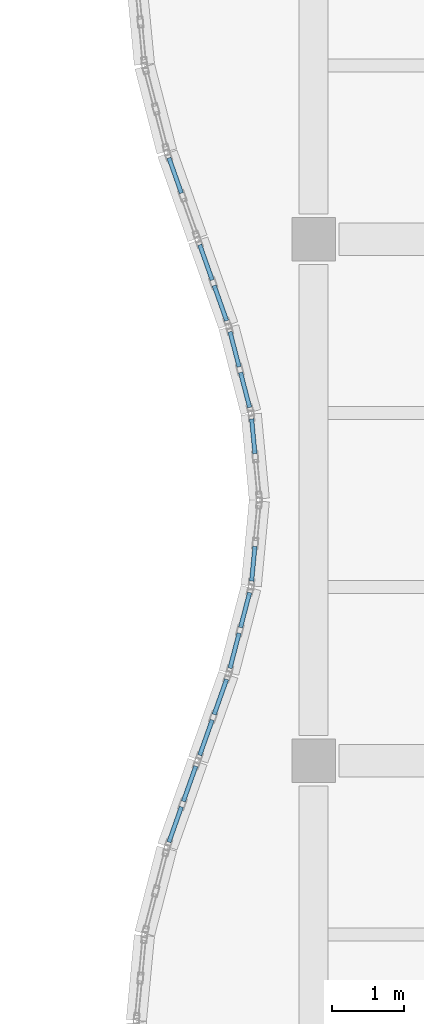
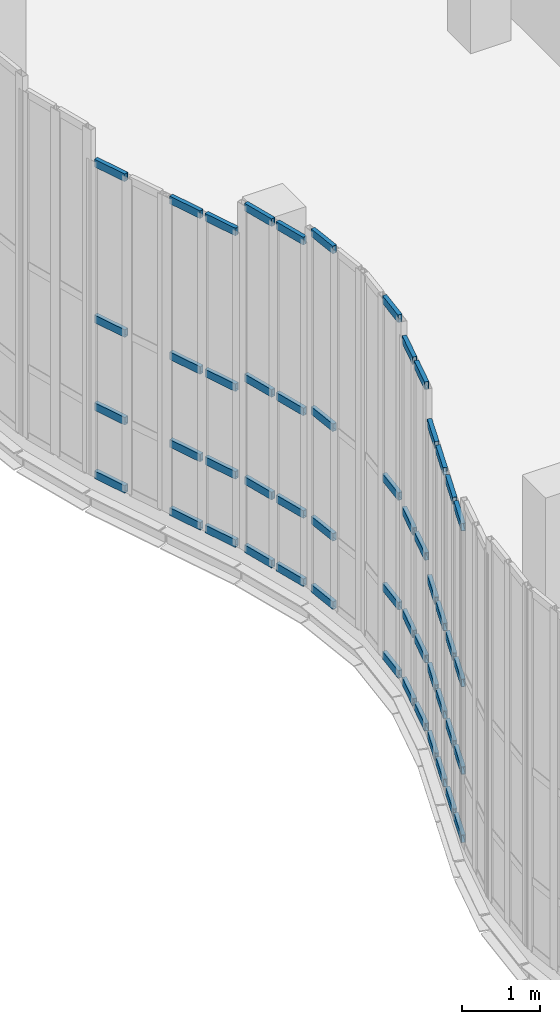
# One storey, part 53 of 105: 52 members, 8 elements without a shape of their own.
"""IFC4 building model written with IfcOpenShell, lengths in metres."""

import ifcopenshell
import ifcopenshell.guid

model = None  # the IFC model being written
_history = None  # IfcOwnerHistory: only IFC2X3 demands one
_inside = {}  # id of a spatial element -> (the spatial element, [elements in it])
_under = {}  # id of a project, library or spatial element -> (it, [spatial elements below it])
_declared = {}  # id of a project -> (the project, [libraries it declares])
_typed = {}  # id of a type object -> (the type object, [elements of that type])
_made_of = {}  # id of a material, layer set ... -> (it, [elements and type objects made of it])


def new_model(schema):
    """Start an empty IFC model of exactly this schema.

    Asked for "IFC4X3", IfcOpenShell would pick the latest addendum, in which some entities
    have other attributes; the version numbers below select the first issue.
    IFC2X3 requires an IfcOwnerHistory on every rooted entity: one is made here for all.
    """
    global model, _history
    if schema == "IFC4X3":
        model = ifcopenshell.file(schema_version=(4, 3, 0, 0))
    else:
        model = ifcopenshell.file(schema=schema)
    _inside.clear()
    _under.clear()
    _declared.clear()
    _typed.clear()
    _made_of.clear()
    _history = None
    if model.schema == "IFC2X3":
        org = make("IfcOrganization", Name="unknown")
        user = make(
            "IfcPersonAndOrganization",
            ThePerson=make("IfcPerson", FamilyName="unknown"),
            TheOrganization=org,
        )
        app = make(
            "IfcApplication",
            ApplicationDeveloper=org,
            Version="unknown",
            ApplicationFullName="unknown",
            ApplicationIdentifier="unknown",
        )
        _history = make(
            "IfcOwnerHistory",
            OwningUser=user,
            OwningApplication=app,
            ChangeAction="ADDED",
            CreationDate=0,
        )
    return model


def make(cls, **values):
    """One entity of the class cls with the attributes given. An attribute that is None is left unset."""
    return model.create_entity(
        cls, **{name: value for name, value in values.items() if value is not None}
    )


def rooted(cls, **values):
    """An entity with a GlobalId (a new one), such as an element, a storey or a relation."""
    return make(cls, GlobalId=ifcopenshell.guid.new(), OwnerHistory=_history, **values)


def si_unit(unit_type, name, prefix=None):
    """IfcSIUnit, for example si_unit("LENGTHUNIT", "METRE", prefix="MILLI")."""
    return make("IfcSIUnit", UnitType=unit_type, Prefix=prefix, Name=name)


def assignment(units):
    """IfcUnitAssignment: the units of a project."""
    return None if units is None else make("IfcUnitAssignment", Units=units)


def point(xyz):
    """IfcCartesianPoint."""
    return None if xyz is None else make("IfcCartesianPoint", Coordinates=xyz)


def direction(xyz):
    """IfcDirection."""
    return None if xyz is None else make("IfcDirection", DirectionRatios=xyz)


def frame(location, z_axis=None, x_axis=None):
    """IfcAxis2Placement3D, a coordinate frame: its origin and axes. An axis left out is left unset."""
    return make(
        "IfcAxis2Placement3D",
        Location=point(location),
        Axis=direction(z_axis),
        RefDirection=direction(x_axis),
    )


def frame_2d(location, x_axis=None):
    """IfcAxis2Placement2D, a coordinate frame in the plane: its origin and x axis."""
    return make(
        "IfcAxis2Placement2D", Location=point(location), RefDirection=direction(x_axis)
    )


def origin():
    """The frame at (0, 0, 0) with its axes left unset."""
    return frame((0.0, 0.0, 0.0))


def origin_2d():
    """The frame at (0, 0) in the plane with its x axis left unset."""
    return frame_2d((0.0, 0.0))


def place(relative_to, where):
    """IfcLocalPlacement: puts the frame where relative to a parent placement (None: the world)."""
    return make(
        "IfcLocalPlacement", PlacementRelTo=relative_to, RelativePlacement=where
    )


def context(
    kind, dimensions, precision=None, world=None, true_north=None, identifier=None
):
    """IfcGeometricRepresentationContext, for example the 3D "Model" context."""
    return make(
        "IfcGeometricRepresentationContext",
        ContextIdentifier=identifier,
        ContextType=kind,
        CoordinateSpaceDimension=dimensions,
        Precision=precision,
        WorldCoordinateSystem=world,
        TrueNorth=true_north,
    )


def subcontext(parent, identifier, kind, view, scale=None):
    """IfcGeometricRepresentationSubContext, for example "Body" below "Model"."""
    return make(
        "IfcGeometricRepresentationSubContext",
        ContextIdentifier=identifier,
        ContextType=kind,
        ParentContext=parent,
        TargetScale=scale,
        TargetView=view,
    )


def project(units=None, contexts=None):
    """IfcProject with its units and contexts."""
    return rooted(
        "IfcProject",
        Name="project",
        RepresentationContexts=contexts,
        UnitsInContext=assignment(units),
    )


def spatial(cls, under=None, at=None, **own):
    """A site, building, storey or space (cls), placed at a placement, below another one or the project."""
    s = rooted(cls, ObjectPlacement=at, **own)
    if under is not None:
        _under.setdefault(under.id(), (under, []))[1].append(s)
    return s


def profile(cls, at=None, kind="AREA", **sizes):
    """A parametric profile (cls). Its sizes go by their IFC names, for example OverallWidth=200.0."""
    return make(cls, ProfileType=kind, Position=at, **sizes)


def hollow_rectangle(**sizes):
    """IfcRectangleHollowProfileDef."""
    return profile("IfcRectangleHollowProfileDef", **sizes)


def extrude(swept, where, along, depth):
    """IfcExtrudedAreaSolid: the profile swept, set in the frame where, extruded along a direction by depth."""
    return make(
        "IfcExtrudedAreaSolid",
        SweptArea=swept,
        Position=where,
        ExtrudedDirection=direction(along),
        Depth=depth,
    )


def shape(context_of_items, identifier, shape_type, items):
    """IfcShapeRepresentation: the items that make up one representation, for example the "Body"."""
    return make(
        "IfcShapeRepresentation",
        ContextOfItems=context_of_items,
        RepresentationIdentifier=identifier,
        RepresentationType=shape_type,
        Items=items,
    )


def material(Name=None, Category=None):
    """IfcMaterial."""
    return make("IfcMaterial", Name=Name, Category=Category)


def layer(
    of_material, thickness, ventilated=None, Name=None, Category=None, Priority=None
):
    """IfcMaterialLayer: one layer of a wall or slab, of a material (None: an air gap)."""
    return make(
        "IfcMaterialLayer",
        Material=of_material,
        LayerThickness=thickness,
        IsVentilated=ventilated,
        Name=Name,
        Category=Category,
        Priority=Priority,
    )


def layer_set(layers, Name=None):
    """IfcMaterialLayerSet."""
    return make("IfcMaterialLayerSet", MaterialLayers=layers, LayerSetName=Name)


def material_profile(
    of_material, cross_section, Name=None, Category=None, Priority=None
):
    """IfcMaterialProfile: a cross section and its material."""
    return make(
        "IfcMaterialProfile",
        Name=Name,
        Material=of_material,
        Profile=cross_section,
        Priority=Priority,
        Category=Category,
    )


def profile_set(profiles, Name=None, composite=None):
    """IfcMaterialProfileSet."""
    return make(
        "IfcMaterialProfileSet",
        Name=Name,
        MaterialProfiles=profiles,
        CompositeProfile=composite,
    )


def made_of(thing, what):
    """Note that an element or type object is made of a material, layer set ...; save() writes the relation."""
    if what is not None:
        _made_of.setdefault(what.id(), (what, []))[1].append(thing)
    return thing


def type_object(cls, material=None, **own):
    """A type object (cls), such as IfcWallType, which elements share."""
    return made_of(rooted(cls, **own), material)


def element(
    cls,
    number,
    at=None,
    inside=None,
    cuts=None,
    type_object=None,
    material=None,
    context=None,
    identifier="Body",
    shape_type=None,
    held_by="IfcProductDefinitionShape",
    body=None,
    shapes=None,
    **own,
):
    """One element of the class cls, such as IfcWall. Its Tag is "e" and its number.

    at: its placement. inside: the storey or other place that contains it. cuts: it is an
    opening in that element (IfcRelVoidsElement). A single representation is given by context,
    identifier, shape_type and body (its items); several are given by shapes. held_by: the class
    of the entity that holds the representations. save() writes the other relations.
    """
    e = rooted(cls, Tag="e%d" % number, ObjectPlacement=at, **own)
    if body is not None:
        shapes = [shape(context, identifier, shape_type, body)]
    if shapes is not None:
        e.Representation = make(held_by, Representations=shapes)
    if inside is not None:
        _inside.setdefault(inside.id(), (inside, []))[1].append(e)
    if cuts is not None:
        rooted(
            "IfcRelVoidsElement", RelatingBuildingElement=cuts, RelatedOpeningElement=e
        )
    if type_object is not None:
        _typed.setdefault(type_object.id(), (type_object, []))[1].append(e)
    return made_of(e, material)


def aggregate(whole, parts):
    """IfcRelAggregates: a whole, such as a stair, and the parts it consists of."""
    return rooted("IfcRelAggregates", RelatingObject=whole, RelatedObjects=parts)


def save(model, path):
    """Write the relations noted so far, then the file.

    IfcRelAggregates (storeys below a building ...), IfcRelContainedInSpatialStructure (elements
    in a storey), IfcRelDefinesByType, IfcRelAssociatesMaterial and IfcRelDeclares: one each for
    every whole, place, type object, material and project.
    """
    for whole, parts in _under.values():
        aggregate(whole, parts)
    for where, things in _inside.values():
        rooted(
            "IfcRelContainedInSpatialStructure",
            RelatedElements=things,
            RelatingStructure=where,
        )
    for kind, things in _typed.values():
        rooted("IfcRelDefinesByType", RelatedObjects=things, RelatingType=kind)
    for what, things in _made_of.values():
        rooted("IfcRelAssociatesMaterial", RelatedObjects=things, RelatingMaterial=what)
    for by, libraries in _declared.values():
        rooted("IfcRelDeclares", RelatingContext=by, RelatedDefinitions=libraries)
    model.write(path)


model = new_model("IFC4")

# Units and contexts
model_context = context("Model", 3, precision=1e-05, world=origin(), true_north=direction((0.0, 1.0)))
body_context = subcontext(model_context, "Body", "Model", "MODEL_VIEW")
ifc_project = project(units=[si_unit("LENGTHUNIT", "METRE"), si_unit("AREAUNIT", "SQUARE_METRE"), si_unit("VOLUMEUNIT", "CUBIC_METRE"), si_unit("PLANEANGLEUNIT", "RADIAN"), si_unit("MASSUNIT", "GRAM", prefix="KILO"), si_unit("THERMODYNAMICTEMPERATUREUNIT", "KELVIN"), si_unit("POWERUNIT", "WATT")], contexts=[model_context])

# Site, building, storey
site_placement = place(None, origin())
site = spatial("IfcSite", under=ifc_project, at=site_placement, CompositionType="ELEMENT")
building_placement = place(site_placement, origin())
building = spatial("IfcBuilding", under=site, at=building_placement, Name="Kaldorven Railside Theatre", CompositionType="ELEMENT")
storey_placement = place(building_placement, frame((0.0, 0.0, 9.89990234375)))
storey = spatial("IfcBuildingStorey", under=building, at=storey_placement, Name="L02", CompositionType="ELEMENT", Elevation=9.89990234375)

# Curtain wall, members
ifc_material_1 = material(Name="Low-E laminated solar-control glass", Category="glass")
ifc_layer_1 = layer(ifc_material_1, 0.159912109375, Name="Low-E laminated solar-control glass")
ifc_layer_set_1 = layer_set([ifc_layer_1], Name="Low-E laminated solar-control glass")
curtain_wall_type_1 = type_object("IfcCurtainWallType", Name="CWT-22", PredefinedType="USERDEFINED", material=ifc_layer_set_1)
curtain_wall_1_placement = place(storey_placement, origin())
curtain_wall_1 = element("IfcCurtainWall", 1, at=curtain_wall_1_placement, inside=storey, type_object=curtain_wall_type_1, Name="Sinusoidal Fluted Curtain Wall CW-L02-W06", ObjectType="FLUTED GLAZING", PredefinedType="USERDEFINED")
ifc_material_2 = material(Name="Anodised bronze aluminium", Category="aluminium")
ifc_material_profile = material_profile(ifc_material_2, hollow_rectangle(XDim=0.06005859375, YDim=0.1201171875, WallThickness=0.0048828125, at=origin_2d()), Name="RHS 120x60x5")
ifc_profile_set = profile_set([ifc_material_profile], Name="Anodised bronze aluminium")
member_type = type_object("IfcMemberType", Name="CWT-120", PredefinedType="USERDEFINED", material=ifc_profile_set)
member_1_placement = place(storey_placement, frame((70.8017578125, 46.87548828125, 0.030029296875), z_axis=(0.333759628763, 0.942658214948, 0.0), x_axis=(-0.942658214948, 0.333759628763, 0.0)))
member_1 = element("IfcMember", 2, at=member_1_placement, type_object=member_type, Name="CW-L02-W06 transom 1.1", ObjectType="TRANSOM", PredefinedType="USERDEFINED", context=body_context, shape_type="SweptSolid", body=[
    extrude(hollow_rectangle(XDim=0.06005859375, YDim=0.1201171875, WallThickness=0.0048828125, at=origin_2d()), origin(), (0.0, 0.0, 1.0), 0.516357421875),
])
member_2_placement = place(storey_placement, frame((70.8017578125, 46.87548828125, 1.10009765625), z_axis=(0.333759628763, 0.942658214948, 0.0), x_axis=(-0.942658214948, 0.333759628763, 0.0)))
member_2 = element("IfcMember", 3, at=member_2_placement, type_object=member_type, Name="CW-L02-W06 transom 1.2", ObjectType="TRANSOM", PredefinedType="USERDEFINED", context=body_context, shape_type="SweptSolid", body=[
    extrude(hollow_rectangle(XDim=0.06005859375, YDim=0.1201171875, WallThickness=0.0048828125, at=origin_2d()), origin(), (0.0, 0.0, 1.0), 0.516357421875),
])
member_3_placement = place(storey_placement, frame((70.8017578125, 46.87548828125, 2.47509765625), z_axis=(0.333759628763, 0.942658214948, 0.0), x_axis=(-0.942658214948, 0.333759628763, 0.0)))
member_3 = element("IfcMember", 4, at=member_3_placement, type_object=member_type, Name="CW-L02-W06 transom 1.3", ObjectType="TRANSOM", PredefinedType="USERDEFINED", context=body_context, shape_type="SweptSolid", body=[
    extrude(hollow_rectangle(XDim=0.06005859375, YDim=0.1201171875, WallThickness=0.0048828125, at=origin_2d()), origin(), (0.0, 0.0, 1.0), 0.516357421875),
])
member_4_placement = place(storey_placement, frame((70.8017578125, 46.87548828125, 4.920166015625), z_axis=(0.333759628763, 0.942658214948, 0.0), x_axis=(-0.942658214948, 0.333759628763, 0.0)))
member_4 = element("IfcMember", 5, at=member_4_placement, type_object=member_type, Name="CW-L02-W06 transom 1.4", ObjectType="TRANSOM", PredefinedType="USERDEFINED", context=body_context, shape_type="SweptSolid", body=[
    extrude(hollow_rectangle(XDim=0.06005859375, YDim=0.1201171875, WallThickness=0.0048828125, at=origin_2d()), origin(), (0.0, 0.0, 1.0), 0.516357421875),
])
member_5_placement = place(storey_placement, frame((71.000732421875, 47.437744140625, 0.030029296875), z_axis=(0.334179614745, 0.942509408488, 0.0), x_axis=(-0.942509408488, 0.334179614745, 0.0)))
member_5 = element("IfcMember", 6, at=member_5_placement, type_object=member_type, Name="CW-L02-W06 transom 2.1", ObjectType="TRANSOM", PredefinedType="USERDEFINED", context=body_context, shape_type="SweptSolid", body=[
    extrude(hollow_rectangle(XDim=0.06005859375, YDim=0.1201171875, WallThickness=0.0048828125, at=origin_2d()), origin(), (0.0, 0.0, 1.0), 0.5166015625),
])
member_6_placement = place(storey_placement, frame((71.000732421875, 47.437744140625, 1.10009765625), z_axis=(0.334179614745, 0.942509408488, 0.0), x_axis=(-0.942509408488, 0.334179614745, 0.0)))
member_6 = element("IfcMember", 7, at=member_6_placement, type_object=member_type, Name="CW-L02-W06 transom 2.2", ObjectType="TRANSOM", PredefinedType="USERDEFINED", context=body_context, shape_type="SweptSolid", body=[
    extrude(hollow_rectangle(XDim=0.06005859375, YDim=0.1201171875, WallThickness=0.0048828125, at=origin_2d()), origin(), (0.0, 0.0, 1.0), 0.5166015625),
])
member_7_placement = place(storey_placement, frame((71.000732421875, 47.437744140625, 2.47509765625), z_axis=(0.334179614745, 0.942509408488, 0.0), x_axis=(-0.942509408488, 0.334179614745, 0.0)))
member_7 = element("IfcMember", 8, at=member_7_placement, type_object=member_type, Name="CW-L02-W06 transom 2.3", ObjectType="TRANSOM", PredefinedType="USERDEFINED", context=body_context, shape_type="SweptSolid", body=[
    extrude(hollow_rectangle(XDim=0.06005859375, YDim=0.1201171875, WallThickness=0.0048828125, at=origin_2d()), origin(), (0.0, 0.0, 1.0), 0.5166015625),
])
member_8_placement = place(storey_placement, frame((71.000732421875, 47.437744140625, 4.920166015625), z_axis=(0.334179614745, 0.942509408488, 0.0), x_axis=(-0.942509408488, 0.334179614745, 0.0)))
member_8 = element("IfcMember", 9, at=member_8_placement, type_object=member_type, Name="CW-L02-W06 transom 2.4", ObjectType="TRANSOM", PredefinedType="USERDEFINED", context=body_context, shape_type="SweptSolid", body=[
    extrude(hollow_rectangle(XDim=0.06005859375, YDim=0.1201171875, WallThickness=0.0048828125, at=origin_2d()), origin(), (0.0, 0.0, 1.0), 0.5166015625),
])
aggregate(curtain_wall_1, [member_1, member_2, member_3, member_4, member_5, member_6, member_7, member_8])

curtain_wall_2_placement = place(storey_placement, origin())
curtain_wall_2 = element("IfcCurtainWall", 10, at=curtain_wall_2_placement, inside=storey, type_object=curtain_wall_type_1, Name="Sinusoidal Fluted Curtain Wall CW-L02-W07", ObjectType="FLUTED GLAZING", PredefinedType="USERDEFINED")
member_9_placement = place(storey_placement, frame((71.226806640625, 48.075439453125, 0.030029296875), z_axis=(0.333759628763, 0.942658214948, 0.0), x_axis=(-0.942658214948, 0.333759628763, 0.0)))
member_9 = element("IfcMember", 11, at=member_9_placement, type_object=member_type, Name="CW-L02-W07 transom 1.1", ObjectType="TRANSOM", PredefinedType="USERDEFINED", context=body_context, shape_type="SweptSolid", body=[
    extrude(hollow_rectangle(XDim=0.06005859375, YDim=0.1201171875, WallThickness=0.0048828125, at=origin_2d()), origin(), (0.0, 0.0, 1.0), 0.516357421875),
])
member_10_placement = place(storey_placement, frame((71.226806640625, 48.075439453125, 1.10009765625), z_axis=(0.333759628763, 0.942658214948, 0.0), x_axis=(-0.942658214948, 0.333759628763, 0.0)))
member_10 = element("IfcMember", 12, at=member_10_placement, type_object=member_type, Name="CW-L02-W07 transom 1.2", ObjectType="TRANSOM", PredefinedType="USERDEFINED", context=body_context, shape_type="SweptSolid", body=[
    extrude(hollow_rectangle(XDim=0.06005859375, YDim=0.1201171875, WallThickness=0.0048828125, at=origin_2d()), origin(), (0.0, 0.0, 1.0), 0.516357421875),
])
member_11_placement = place(storey_placement, frame((71.226806640625, 48.075439453125, 2.47509765625), z_axis=(0.333759628763, 0.942658214948, 0.0), x_axis=(-0.942658214948, 0.333759628763, 0.0)))
member_11 = element("IfcMember", 13, at=member_11_placement, type_object=member_type, Name="CW-L02-W07 transom 1.3", ObjectType="TRANSOM", PredefinedType="USERDEFINED", context=body_context, shape_type="SweptSolid", body=[
    extrude(hollow_rectangle(XDim=0.06005859375, YDim=0.1201171875, WallThickness=0.0048828125, at=origin_2d()), origin(), (0.0, 0.0, 1.0), 0.516357421875),
])
member_12_placement = place(storey_placement, frame((71.226806640625, 48.075439453125, 4.920166015625), z_axis=(0.333759628763, 0.942658214948, 0.0), x_axis=(-0.942658214948, 0.333759628763, 0.0)))
member_12 = element("IfcMember", 14, at=member_12_placement, type_object=member_type, Name="CW-L02-W07 transom 1.4", ObjectType="TRANSOM", PredefinedType="USERDEFINED", context=body_context, shape_type="SweptSolid", body=[
    extrude(hollow_rectangle(XDim=0.06005859375, YDim=0.1201171875, WallThickness=0.0048828125, at=origin_2d()), origin(), (0.0, 0.0, 1.0), 0.516357421875),
])
member_13_placement = place(storey_placement, frame((71.42578125, 48.6376953125, 0.030029296875), z_axis=(0.334179614745, 0.942509408488, 0.0), x_axis=(-0.942509408488, 0.334179614745, 0.0)))
member_13 = element("IfcMember", 15, at=member_13_placement, type_object=member_type, Name="CW-L02-W07 transom 2.1", ObjectType="TRANSOM", PredefinedType="USERDEFINED", context=body_context, shape_type="SweptSolid", body=[
    extrude(hollow_rectangle(XDim=0.06005859375, YDim=0.1201171875, WallThickness=0.0048828125, at=origin_2d()), origin(), (0.0, 0.0, 1.0), 0.5166015625),
])
member_14_placement = place(storey_placement, frame((71.42578125, 48.6376953125, 1.10009765625), z_axis=(0.334179614745, 0.942509408488, 0.0), x_axis=(-0.942509408488, 0.334179614745, 0.0)))
member_14 = element("IfcMember", 16, at=member_14_placement, type_object=member_type, Name="CW-L02-W07 transom 2.2", ObjectType="TRANSOM", PredefinedType="USERDEFINED", context=body_context, shape_type="SweptSolid", body=[
    extrude(hollow_rectangle(XDim=0.06005859375, YDim=0.1201171875, WallThickness=0.0048828125, at=origin_2d()), origin(), (0.0, 0.0, 1.0), 0.5166015625),
])
member_15_placement = place(storey_placement, frame((71.42578125, 48.6376953125, 2.47509765625), z_axis=(0.334179614745, 0.942509408488, 0.0), x_axis=(-0.942509408488, 0.334179614745, 0.0)))
member_15 = element("IfcMember", 17, at=member_15_placement, type_object=member_type, Name="CW-L02-W07 transom 2.3", ObjectType="TRANSOM", PredefinedType="USERDEFINED", context=body_context, shape_type="SweptSolid", body=[
    extrude(hollow_rectangle(XDim=0.06005859375, YDim=0.1201171875, WallThickness=0.0048828125, at=origin_2d()), origin(), (0.0, 0.0, 1.0), 0.5166015625),
])
member_16_placement = place(storey_placement, frame((71.42578125, 48.6376953125, 4.920166015625), z_axis=(0.334179614745, 0.942509408488, 0.0), x_axis=(-0.942509408488, 0.334179614745, 0.0)))
member_16 = element("IfcMember", 18, at=member_16_placement, type_object=member_type, Name="CW-L02-W07 transom 2.4", ObjectType="TRANSOM", PredefinedType="USERDEFINED", context=body_context, shape_type="SweptSolid", body=[
    extrude(hollow_rectangle(XDim=0.06005859375, YDim=0.1201171875, WallThickness=0.0048828125, at=origin_2d()), origin(), (0.0, 0.0, 1.0), 0.5166015625),
])
aggregate(curtain_wall_2, [member_9, member_10, member_11, member_12, member_13, member_14, member_15, member_16])

ifc_layer_2 = layer(ifc_material_1, 0.159912109375, Name="Low-E laminated solar-control glass")
ifc_layer_set_2 = layer_set([ifc_layer_2], Name="Low-E laminated solar-control glass")
curtain_wall_type_2 = type_object("IfcCurtainWallType", Name="CWT-23", PredefinedType="USERDEFINED", material=ifc_layer_set_2)
curtain_wall_3_placement = place(storey_placement, origin())
curtain_wall_3 = element("IfcCurtainWall", 19, at=curtain_wall_3_placement, inside=storey, type_object=curtain_wall_type_2, Name="Sinusoidal Fluted Curtain Wall CW-L02-W08", ObjectType="FLUTED GLAZING", PredefinedType="USERDEFINED")
member_17_placement = place(storey_placement, frame((71.64501953125, 49.27734375, 0.030029296875), z_axis=(0.251029954561, 0.967979318949, 0.0), x_axis=(-0.967979318949, 0.251029954561, 0.0)))
member_17 = element("IfcMember", 20, at=member_17_placement, type_object=member_type, Name="CW-L02-W08 transom 1.1", ObjectType="TRANSOM", PredefinedType="USERDEFINED", context=body_context, shape_type="SweptSolid", body=[
    extrude(hollow_rectangle(XDim=0.06005859375, YDim=0.1201171875, WallThickness=0.0048828125, at=origin_2d()), origin(), (0.0, 0.0, 1.0), 0.5),
])
member_18_placement = place(storey_placement, frame((71.64501953125, 49.27734375, 1.10009765625), z_axis=(0.251029954561, 0.967979318949, 0.0), x_axis=(-0.967979318949, 0.251029954561, 0.0)))
member_18 = element("IfcMember", 21, at=member_18_placement, type_object=member_type, Name="CW-L02-W08 transom 1.2", ObjectType="TRANSOM", PredefinedType="USERDEFINED", context=body_context, shape_type="SweptSolid", body=[
    extrude(hollow_rectangle(XDim=0.06005859375, YDim=0.1201171875, WallThickness=0.0048828125, at=origin_2d()), origin(), (0.0, 0.0, 1.0), 0.5),
])
member_19_placement = place(storey_placement, frame((71.64501953125, 49.27734375, 2.710205078125), z_axis=(0.251029954561, 0.967979318949, 0.0), x_axis=(-0.967979318949, 0.251029954561, 0.0)))
member_19 = element("IfcMember", 22, at=member_19_placement, type_object=member_type, Name="CW-L02-W08 transom 1.3", ObjectType="TRANSOM", PredefinedType="USERDEFINED", context=body_context, shape_type="SweptSolid", body=[
    extrude(hollow_rectangle(XDim=0.06005859375, YDim=0.1201171875, WallThickness=0.0048828125, at=origin_2d()), origin(), (0.0, 0.0, 1.0), 0.5),
])
member_20_placement = place(storey_placement, frame((71.64501953125, 49.27734375, 5.39013671875), z_axis=(0.251029954561, 0.967979318949, 0.0), x_axis=(-0.967979318949, 0.251029954561, 0.0)))
member_20 = element("IfcMember", 23, at=member_20_placement, type_object=member_type, Name="CW-L02-W08 transom 1.4", ObjectType="TRANSOM", PredefinedType="USERDEFINED", context=body_context, shape_type="SweptSolid", body=[
    extrude(hollow_rectangle(XDim=0.06005859375, YDim=0.1201171875, WallThickness=0.0048828125, at=origin_2d()), origin(), (0.0, 0.0, 1.0), 0.5),
])
member_21_placement = place(storey_placement, frame((71.79052734375, 49.838623046875, 0.030029296875), z_axis=(0.251029954561, 0.967979318949, 0.0), x_axis=(-0.967979318949, 0.251029954561, 0.0)))
member_21 = element("IfcMember", 24, at=member_21_placement, type_object=member_type, Name="CW-L02-W08 transom 2.1", ObjectType="TRANSOM", PredefinedType="USERDEFINED", context=body_context, shape_type="SweptSolid", body=[
    extrude(hollow_rectangle(XDim=0.06005859375, YDim=0.1201171875, WallThickness=0.0048828125, at=origin_2d()), origin(), (0.0, 0.0, 1.0), 0.5),
])
member_22_placement = place(storey_placement, frame((71.79052734375, 49.838623046875, 1.10009765625), z_axis=(0.251029954561, 0.967979318949, 0.0), x_axis=(-0.967979318949, 0.251029954561, 0.0)))
member_22 = element("IfcMember", 25, at=member_22_placement, type_object=member_type, Name="CW-L02-W08 transom 2.2", ObjectType="TRANSOM", PredefinedType="USERDEFINED", context=body_context, shape_type="SweptSolid", body=[
    extrude(hollow_rectangle(XDim=0.06005859375, YDim=0.1201171875, WallThickness=0.0048828125, at=origin_2d()), origin(), (0.0, 0.0, 1.0), 0.5),
])
member_23_placement = place(storey_placement, frame((71.79052734375, 49.838623046875, 2.710205078125), z_axis=(0.251029954561, 0.967979318949, 0.0), x_axis=(-0.967979318949, 0.251029954561, 0.0)))
member_23 = element("IfcMember", 26, at=member_23_placement, type_object=member_type, Name="CW-L02-W08 transom 2.3", ObjectType="TRANSOM", PredefinedType="USERDEFINED", context=body_context, shape_type="SweptSolid", body=[
    extrude(hollow_rectangle(XDim=0.06005859375, YDim=0.1201171875, WallThickness=0.0048828125, at=origin_2d()), origin(), (0.0, 0.0, 1.0), 0.5),
])
member_24_placement = place(storey_placement, frame((71.79052734375, 49.838623046875, 5.39013671875), z_axis=(0.251029954561, 0.967979318949, 0.0), x_axis=(-0.967979318949, 0.251029954561, 0.0)))
member_24 = element("IfcMember", 27, at=member_24_placement, type_object=member_type, Name="CW-L02-W08 transom 2.4", ObjectType="TRANSOM", PredefinedType="USERDEFINED", context=body_context, shape_type="SweptSolid", body=[
    extrude(hollow_rectangle(XDim=0.06005859375, YDim=0.1201171875, WallThickness=0.0048828125, at=origin_2d()), origin(), (0.0, 0.0, 1.0), 0.5),
])
aggregate(curtain_wall_3, [member_17, member_18, member_19, member_20, member_21, member_22, member_23, member_24])

ifc_layer_3 = layer(ifc_material_1, 0.159912109375, Name="Low-E laminated solar-control glass")
ifc_layer_set_3 = layer_set([ifc_layer_3], Name="Low-E laminated solar-control glass")
curtain_wall_type_3 = type_object("IfcCurtainWallType", Name="CWT-24", PredefinedType="USERDEFINED", material=ifc_layer_set_3)
curtain_wall_4_placement = place(storey_placement, origin())
curtain_wall_4 = element("IfcCurtainWall", 28, at=curtain_wall_4_placement, inside=storey, type_object=curtain_wall_type_3, Name="Sinusoidal Fluted Curtain Wall CW-L02-W09", ObjectType="FLUTED GLAZING", PredefinedType="USERDEFINED")
member_25_placement = place(storey_placement, frame((71.943603515625, 50.479736328125, 0.030029296875), z_axis=(0.094594245591, 0.995515910823, 0.0), x_axis=(-0.995515910823, 0.094594245591, 0.0)))
member_25 = element("IfcMember", 29, at=member_25_placement, type_object=member_type, Name="CW-L02-W09 transom 1.1", ObjectType="TRANSOM", PredefinedType="USERDEFINED", context=body_context, shape_type="SweptSolid", body=[
    extrude(hollow_rectangle(XDim=0.06005859375, YDim=0.1201171875, WallThickness=0.0048828125, at=origin_2d()), origin(), (0.0, 0.0, 1.0), 0.482666015625),
])
member_26_placement = place(storey_placement, frame((71.943603515625, 50.479736328125, 1.10009765625), z_axis=(0.094594245591, 0.995515910823, 0.0), x_axis=(-0.995515910823, 0.094594245591, 0.0)))
member_26 = element("IfcMember", 30, at=member_26_placement, type_object=member_type, Name="CW-L02-W09 transom 1.2", ObjectType="TRANSOM", PredefinedType="USERDEFINED", context=body_context, shape_type="SweptSolid", body=[
    extrude(hollow_rectangle(XDim=0.06005859375, YDim=0.1201171875, WallThickness=0.0048828125, at=origin_2d()), origin(), (0.0, 0.0, 1.0), 0.482666015625),
])
member_27_placement = place(storey_placement, frame((71.943603515625, 50.479736328125, 2.820068359375), z_axis=(0.094594245591, 0.995515910823, 0.0), x_axis=(-0.995515910823, 0.094594245591, 0.0)))
member_27 = element("IfcMember", 31, at=member_27_placement, type_object=member_type, Name="CW-L02-W09 transom 1.3", ObjectType="TRANSOM", PredefinedType="USERDEFINED", context=body_context, shape_type="SweptSolid", body=[
    extrude(hollow_rectangle(XDim=0.06005859375, YDim=0.1201171875, WallThickness=0.0048828125, at=origin_2d()), origin(), (0.0, 0.0, 1.0), 0.482666015625),
])
member_28_placement = place(storey_placement, frame((71.943603515625, 50.479736328125, 5.610107421875), z_axis=(0.094594245591, 0.995515910823, 0.0), x_axis=(-0.995515910823, 0.094594245591, 0.0)))
member_28 = element("IfcMember", 32, at=member_28_placement, type_object=member_type, Name="CW-L02-W09 transom 1.4", ObjectType="TRANSOM", PredefinedType="USERDEFINED", context=body_context, shape_type="SweptSolid", body=[
    extrude(hollow_rectangle(XDim=0.06005859375, YDim=0.1201171875, WallThickness=0.0048828125, at=origin_2d()), origin(), (0.0, 0.0, 1.0), 0.482666015625),
])
aggregate(curtain_wall_4, [member_25, member_26, member_27, member_28])

curtain_wall_5_placement = place(storey_placement, origin())
curtain_wall_5 = element("IfcCurtainWall", 33, at=curtain_wall_5_placement, inside=storey, type_object=curtain_wall_type_3, Name="Sinusoidal Fluted Curtain Wall CW-L02-W10", ObjectType="FLUTED GLAZING", PredefinedType="USERDEFINED")
member_29_placement = place(storey_placement, frame((71.9892578125, 52.23974609375, 0.030029296875), z_axis=(-0.094546633378, 0.995520433802, 0.0), x_axis=(-0.995520433802, -0.094546633378, 0.0)))
member_29 = element("IfcMember", 34, at=member_29_placement, type_object=member_type, Name="CW-L02-W10 transom 2.1", ObjectType="TRANSOM", PredefinedType="USERDEFINED", context=body_context, shape_type="SweptSolid", body=[
    extrude(hollow_rectangle(XDim=0.06005859375, YDim=0.1201171875, WallThickness=0.0048828125, at=origin_2d()), origin(), (0.0, 0.0, 1.0), 0.48291015625),
])
member_30_placement = place(storey_placement, frame((71.9892578125, 52.23974609375, 1.10009765625), z_axis=(-0.094546633378, 0.995520433802, 0.0), x_axis=(-0.995520433802, -0.094546633378, 0.0)))
member_30 = element("IfcMember", 35, at=member_30_placement, type_object=member_type, Name="CW-L02-W10 transom 2.2", ObjectType="TRANSOM", PredefinedType="USERDEFINED", context=body_context, shape_type="SweptSolid", body=[
    extrude(hollow_rectangle(XDim=0.06005859375, YDim=0.1201171875, WallThickness=0.0048828125, at=origin_2d()), origin(), (0.0, 0.0, 1.0), 0.48291015625),
])
member_31_placement = place(storey_placement, frame((71.9892578125, 52.23974609375, 2.820068359375), z_axis=(-0.094546633378, 0.995520433802, 0.0), x_axis=(-0.995520433802, -0.094546633378, 0.0)))
member_31 = element("IfcMember", 36, at=member_31_placement, type_object=member_type, Name="CW-L02-W10 transom 2.3", ObjectType="TRANSOM", PredefinedType="USERDEFINED", context=body_context, shape_type="SweptSolid", body=[
    extrude(hollow_rectangle(XDim=0.06005859375, YDim=0.1201171875, WallThickness=0.0048828125, at=origin_2d()), origin(), (0.0, 0.0, 1.0), 0.48291015625),
])
member_32_placement = place(storey_placement, frame((71.9892578125, 52.23974609375, 5.610107421875), z_axis=(-0.094546633378, 0.995520433802, 0.0), x_axis=(-0.995520433802, -0.094546633378, 0.0)))
member_32 = element("IfcMember", 37, at=member_32_placement, type_object=member_type, Name="CW-L02-W10 transom 2.4", ObjectType="TRANSOM", PredefinedType="USERDEFINED", context=body_context, shape_type="SweptSolid", body=[
    extrude(hollow_rectangle(XDim=0.06005859375, YDim=0.1201171875, WallThickness=0.0048828125, at=origin_2d()), origin(), (0.0, 0.0, 1.0), 0.48291015625),
])
aggregate(curtain_wall_5, [member_29, member_30, member_31, member_32])

curtain_wall_6_placement = place(storey_placement, origin())
curtain_wall_6 = element("IfcCurtainWall", 38, at=curtain_wall_6_placement, inside=storey, type_object=curtain_wall_type_2, Name="Sinusoidal Fluted Curtain Wall CW-L02-W11", ObjectType="FLUTED GLAZING", PredefinedType="USERDEFINED")
member_33_placement = place(storey_placement, frame((71.916015625, 52.87744140625, 0.030029296875), z_axis=(-0.251029954561, 0.967979318949, 0.0), x_axis=(-0.967979318949, -0.251029954561, 0.0)))
member_33 = element("IfcMember", 39, at=member_33_placement, type_object=member_type, Name="CW-L02-W11 transom 1.1", ObjectType="TRANSOM", PredefinedType="USERDEFINED", context=body_context, shape_type="SweptSolid", body=[
    extrude(hollow_rectangle(XDim=0.06005859375, YDim=0.1201171875, WallThickness=0.0048828125, at=origin_2d()), origin(), (0.0, 0.0, 1.0), 0.5),
])
member_34_placement = place(storey_placement, frame((71.916015625, 52.87744140625, 1.10009765625), z_axis=(-0.251029954561, 0.967979318949, 0.0), x_axis=(-0.967979318949, -0.251029954561, 0.0)))
member_34 = element("IfcMember", 40, at=member_34_placement, type_object=member_type, Name="CW-L02-W11 transom 1.2", ObjectType="TRANSOM", PredefinedType="USERDEFINED", context=body_context, shape_type="SweptSolid", body=[
    extrude(hollow_rectangle(XDim=0.06005859375, YDim=0.1201171875, WallThickness=0.0048828125, at=origin_2d()), origin(), (0.0, 0.0, 1.0), 0.5),
])
member_35_placement = place(storey_placement, frame((71.916015625, 52.87744140625, 2.710205078125), z_axis=(-0.251029954561, 0.967979318949, 0.0), x_axis=(-0.967979318949, -0.251029954561, 0.0)))
member_35 = element("IfcMember", 41, at=member_35_placement, type_object=member_type, Name="CW-L02-W11 transom 1.3", ObjectType="TRANSOM", PredefinedType="USERDEFINED", context=body_context, shape_type="SweptSolid", body=[
    extrude(hollow_rectangle(XDim=0.06005859375, YDim=0.1201171875, WallThickness=0.0048828125, at=origin_2d()), origin(), (0.0, 0.0, 1.0), 0.5),
])
member_36_placement = place(storey_placement, frame((71.916015625, 52.87744140625, 5.39013671875), z_axis=(-0.251029954561, 0.967979318949, 0.0), x_axis=(-0.967979318949, -0.251029954561, 0.0)))
member_36 = element("IfcMember", 42, at=member_36_placement, type_object=member_type, Name="CW-L02-W11 transom 1.4", ObjectType="TRANSOM", PredefinedType="USERDEFINED", context=body_context, shape_type="SweptSolid", body=[
    extrude(hollow_rectangle(XDim=0.06005859375, YDim=0.1201171875, WallThickness=0.0048828125, at=origin_2d()), origin(), (0.0, 0.0, 1.0), 0.5),
])
member_37_placement = place(storey_placement, frame((71.7705078125, 53.438720703125, 0.030029296875), z_axis=(-0.251029954561, 0.967979318949, 0.0), x_axis=(-0.967979318949, -0.251029954561, 0.0)))
member_37 = element("IfcMember", 43, at=member_37_placement, type_object=member_type, Name="CW-L02-W11 transom 2.1", ObjectType="TRANSOM", PredefinedType="USERDEFINED", context=body_context, shape_type="SweptSolid", body=[
    extrude(hollow_rectangle(XDim=0.06005859375, YDim=0.1201171875, WallThickness=0.0048828125, at=origin_2d()), origin(), (0.0, 0.0, 1.0), 0.5),
])
member_38_placement = place(storey_placement, frame((71.7705078125, 53.438720703125, 1.10009765625), z_axis=(-0.251029954561, 0.967979318949, 0.0), x_axis=(-0.967979318949, -0.251029954561, 0.0)))
member_38 = element("IfcMember", 44, at=member_38_placement, type_object=member_type, Name="CW-L02-W11 transom 2.2", ObjectType="TRANSOM", PredefinedType="USERDEFINED", context=body_context, shape_type="SweptSolid", body=[
    extrude(hollow_rectangle(XDim=0.06005859375, YDim=0.1201171875, WallThickness=0.0048828125, at=origin_2d()), origin(), (0.0, 0.0, 1.0), 0.5),
])
member_39_placement = place(storey_placement, frame((71.7705078125, 53.438720703125, 2.710205078125), z_axis=(-0.251029954561, 0.967979318949, 0.0), x_axis=(-0.967979318949, -0.251029954561, 0.0)))
member_39 = element("IfcMember", 45, at=member_39_placement, type_object=member_type, Name="CW-L02-W11 transom 2.3", ObjectType="TRANSOM", PredefinedType="USERDEFINED", context=body_context, shape_type="SweptSolid", body=[
    extrude(hollow_rectangle(XDim=0.06005859375, YDim=0.1201171875, WallThickness=0.0048828125, at=origin_2d()), origin(), (0.0, 0.0, 1.0), 0.5),
])
member_40_placement = place(storey_placement, frame((71.7705078125, 53.438720703125, 5.39013671875), z_axis=(-0.251029954561, 0.967979318949, 0.0), x_axis=(-0.967979318949, -0.251029954561, 0.0)))
member_40 = element("IfcMember", 46, at=member_40_placement, type_object=member_type, Name="CW-L02-W11 transom 2.4", ObjectType="TRANSOM", PredefinedType="USERDEFINED", context=body_context, shape_type="SweptSolid", body=[
    extrude(hollow_rectangle(XDim=0.06005859375, YDim=0.1201171875, WallThickness=0.0048828125, at=origin_2d()), origin(), (0.0, 0.0, 1.0), 0.5),
])
aggregate(curtain_wall_6, [member_33, member_34, member_35, member_36, member_37, member_38, member_39, member_40])

curtain_wall_7_placement = place(storey_placement, origin())
curtain_wall_7 = element("IfcCurtainWall", 47, at=curtain_wall_7_placement, inside=storey, type_object=curtain_wall_type_1, Name="Sinusoidal Fluted Curtain Wall CW-L02-W12", ObjectType="FLUTED GLAZING", PredefinedType="USERDEFINED")
member_41_placement = place(storey_placement, frame((71.598388671875, 54.075439453125, 0.030029296875), z_axis=(-0.334179614745, 0.942509408488, 0.0), x_axis=(-0.942509408488, -0.334179614745, 0.0)))
member_41 = element("IfcMember", 48, at=member_41_placement, type_object=member_type, Name="CW-L02-W12 transom 1.1", ObjectType="TRANSOM", PredefinedType="USERDEFINED", context=body_context, shape_type="SweptSolid", body=[
    extrude(hollow_rectangle(XDim=0.06005859375, YDim=0.1201171875, WallThickness=0.0048828125, at=origin_2d()), origin(), (0.0, 0.0, 1.0), 0.5166015625),
])
member_42_placement = place(storey_placement, frame((71.598388671875, 54.075439453125, 1.10009765625), z_axis=(-0.334179614745, 0.942509408488, 0.0), x_axis=(-0.942509408488, -0.334179614745, 0.0)))
member_42 = element("IfcMember", 49, at=member_42_placement, type_object=member_type, Name="CW-L02-W12 transom 1.2", ObjectType="TRANSOM", PredefinedType="USERDEFINED", context=body_context, shape_type="SweptSolid", body=[
    extrude(hollow_rectangle(XDim=0.06005859375, YDim=0.1201171875, WallThickness=0.0048828125, at=origin_2d()), origin(), (0.0, 0.0, 1.0), 0.5166015625),
])
member_43_placement = place(storey_placement, frame((71.598388671875, 54.075439453125, 2.47509765625), z_axis=(-0.334179614745, 0.942509408488, 0.0), x_axis=(-0.942509408488, -0.334179614745, 0.0)))
member_43 = element("IfcMember", 50, at=member_43_placement, type_object=member_type, Name="CW-L02-W12 transom 1.3", ObjectType="TRANSOM", PredefinedType="USERDEFINED", context=body_context, shape_type="SweptSolid", body=[
    extrude(hollow_rectangle(XDim=0.06005859375, YDim=0.1201171875, WallThickness=0.0048828125, at=origin_2d()), origin(), (0.0, 0.0, 1.0), 0.5166015625),
])
member_44_placement = place(storey_placement, frame((71.598388671875, 54.075439453125, 4.920166015625), z_axis=(-0.334179614745, 0.942509408488, 0.0), x_axis=(-0.942509408488, -0.334179614745, 0.0)))
member_44 = element("IfcMember", 51, at=member_44_placement, type_object=member_type, Name="CW-L02-W12 transom 1.4", ObjectType="TRANSOM", PredefinedType="USERDEFINED", context=body_context, shape_type="SweptSolid", body=[
    extrude(hollow_rectangle(XDim=0.06005859375, YDim=0.1201171875, WallThickness=0.0048828125, at=origin_2d()), origin(), (0.0, 0.0, 1.0), 0.5166015625),
])
member_45_placement = place(storey_placement, frame((71.399169921875, 54.6376953125, 0.030029296875), z_axis=(-0.333759628763, 0.942658214948, 0.0), x_axis=(-0.942658214948, -0.333759628763, 0.0)))
member_45 = element("IfcMember", 52, at=member_45_placement, type_object=member_type, Name="CW-L02-W12 transom 2.1", ObjectType="TRANSOM", PredefinedType="USERDEFINED", context=body_context, shape_type="SweptSolid", body=[
    extrude(hollow_rectangle(XDim=0.06005859375, YDim=0.1201171875, WallThickness=0.0048828125, at=origin_2d()), origin(), (0.0, 0.0, 1.0), 0.516357421875),
])
member_46_placement = place(storey_placement, frame((71.399169921875, 54.6376953125, 1.10009765625), z_axis=(-0.333759628763, 0.942658214948, 0.0), x_axis=(-0.942658214948, -0.333759628763, 0.0)))
member_46 = element("IfcMember", 53, at=member_46_placement, type_object=member_type, Name="CW-L02-W12 transom 2.2", ObjectType="TRANSOM", PredefinedType="USERDEFINED", context=body_context, shape_type="SweptSolid", body=[
    extrude(hollow_rectangle(XDim=0.06005859375, YDim=0.1201171875, WallThickness=0.0048828125, at=origin_2d()), origin(), (0.0, 0.0, 1.0), 0.516357421875),
])
member_47_placement = place(storey_placement, frame((71.399169921875, 54.6376953125, 2.47509765625), z_axis=(-0.333759628763, 0.942658214948, 0.0), x_axis=(-0.942658214948, -0.333759628763, 0.0)))
member_47 = element("IfcMember", 54, at=member_47_placement, type_object=member_type, Name="CW-L02-W12 transom 2.3", ObjectType="TRANSOM", PredefinedType="USERDEFINED", context=body_context, shape_type="SweptSolid", body=[
    extrude(hollow_rectangle(XDim=0.06005859375, YDim=0.1201171875, WallThickness=0.0048828125, at=origin_2d()), origin(), (0.0, 0.0, 1.0), 0.516357421875),
])
member_48_placement = place(storey_placement, frame((71.399169921875, 54.6376953125, 4.920166015625), z_axis=(-0.333759628763, 0.942658214948, 0.0), x_axis=(-0.942658214948, -0.333759628763, 0.0)))
member_48 = element("IfcMember", 55, at=member_48_placement, type_object=member_type, Name="CW-L02-W12 transom 2.4", ObjectType="TRANSOM", PredefinedType="USERDEFINED", context=body_context, shape_type="SweptSolid", body=[
    extrude(hollow_rectangle(XDim=0.06005859375, YDim=0.1201171875, WallThickness=0.0048828125, at=origin_2d()), origin(), (0.0, 0.0, 1.0), 0.516357421875),
])
aggregate(curtain_wall_7, [member_41, member_42, member_43, member_44, member_45, member_46, member_47, member_48])

curtain_wall_8_placement = place(storey_placement, origin())
curtain_wall_8 = element("IfcCurtainWall", 56, at=curtain_wall_8_placement, inside=storey, type_object=curtain_wall_type_1, Name="Sinusoidal Fluted Curtain Wall CW-L02-W13", ObjectType="FLUTED GLAZING", PredefinedType="USERDEFINED")
member_49_placement = place(storey_placement, frame((70.97412109375, 55.837646484375, 0.030029296875), z_axis=(-0.333610954502, 0.942710841688, 0.0), x_axis=(-0.942710841688, -0.333610954502, 0.0)))
member_49 = element("IfcMember", 57, at=member_49_placement, type_object=member_type, Name="CW-L02-W13 transom 2.1", ObjectType="TRANSOM", PredefinedType="USERDEFINED", context=body_context, shape_type="SweptSolid", body=[
    extrude(hollow_rectangle(XDim=0.06005859375, YDim=0.1201171875, WallThickness=0.0048828125, at=origin_2d()), origin(), (0.0, 0.0, 1.0), 0.5166015625),
])
member_50_placement = place(storey_placement, frame((70.97412109375, 55.837646484375, 1.10009765625), z_axis=(-0.333610954502, 0.942710841688, 0.0), x_axis=(-0.942710841688, -0.333610954502, 0.0)))
member_50 = element("IfcMember", 58, at=member_50_placement, type_object=member_type, Name="CW-L02-W13 transom 2.2", ObjectType="TRANSOM", PredefinedType="USERDEFINED", context=body_context, shape_type="SweptSolid", body=[
    extrude(hollow_rectangle(XDim=0.06005859375, YDim=0.1201171875, WallThickness=0.0048828125, at=origin_2d()), origin(), (0.0, 0.0, 1.0), 0.5166015625),
])
member_51_placement = place(storey_placement, frame((70.97412109375, 55.837646484375, 2.47509765625), z_axis=(-0.333610954502, 0.942710841688, 0.0), x_axis=(-0.942710841688, -0.333610954502, 0.0)))
member_51 = element("IfcMember", 59, at=member_51_placement, type_object=member_type, Name="CW-L02-W13 transom 2.3", ObjectType="TRANSOM", PredefinedType="USERDEFINED", context=body_context, shape_type="SweptSolid", body=[
    extrude(hollow_rectangle(XDim=0.06005859375, YDim=0.1201171875, WallThickness=0.0048828125, at=origin_2d()), origin(), (0.0, 0.0, 1.0), 0.5166015625),
])
member_52_placement = place(storey_placement, frame((70.97412109375, 55.837646484375, 4.920166015625), z_axis=(-0.333610954502, 0.942710841688, 0.0), x_axis=(-0.942710841688, -0.333610954502, 0.0)))
member_52 = element("IfcMember", 60, at=member_52_placement, type_object=member_type, Name="CW-L02-W13 transom 2.4", ObjectType="TRANSOM", PredefinedType="USERDEFINED", context=body_context, shape_type="SweptSolid", body=[
    extrude(hollow_rectangle(XDim=0.06005859375, YDim=0.1201171875, WallThickness=0.0048828125, at=origin_2d()), origin(), (0.0, 0.0, 1.0), 0.5166015625),
])
aggregate(curtain_wall_8, [member_49, member_50, member_51, member_52])

save(model, "model.ifc")
